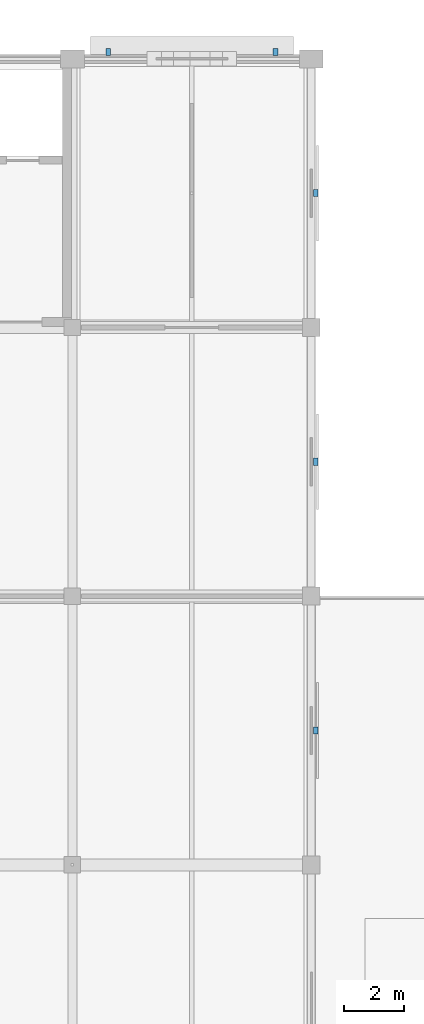
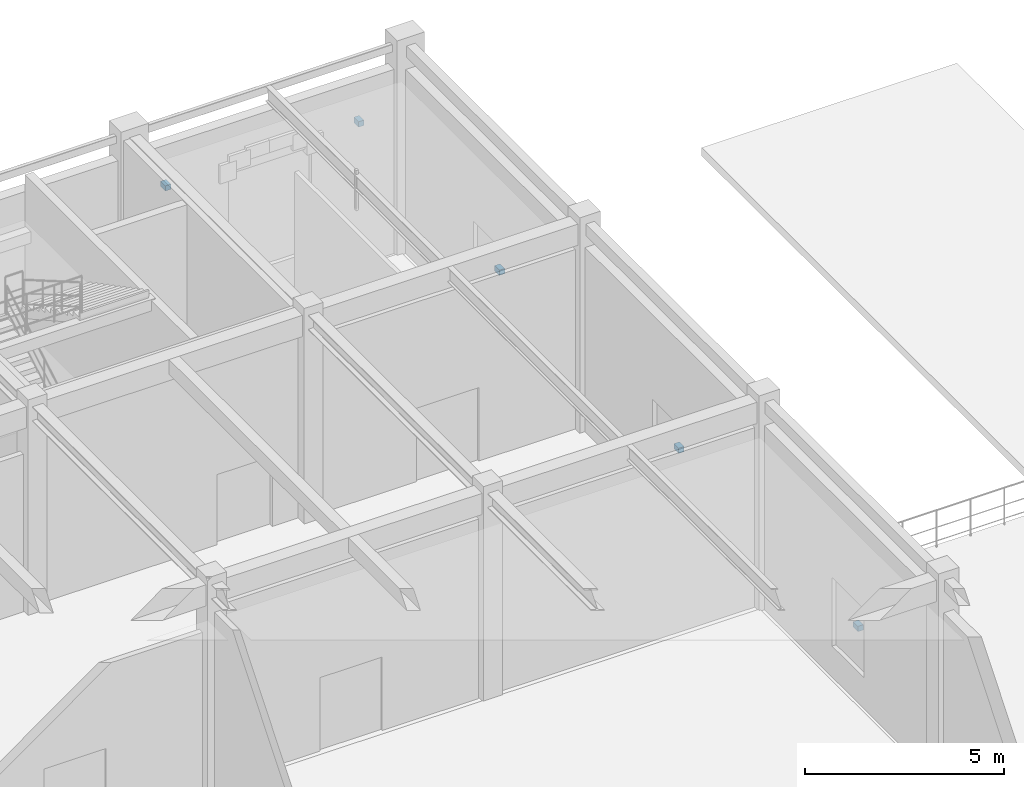
# One storey, part 155 of 163: 5 discrete accessories.
"""IFC4 building model written with IfcOpenShell, lengths in metres."""

from ifc_helpers import new_model, si_unit, direction, frame, origin, origin_2d, place, context, subcontext, project, spatial, rectangle, extrude, material, layer, layer_set, type_object, element, save


model = new_model("IFC4")

# Units and contexts
model_context = context("Model", 3, precision=1e-05, world=origin(), true_north=direction((0.0, 1.0)))
body_context = subcontext(model_context, "Body", "Model", "MODEL_VIEW")
ifc_project = project(units=[si_unit("LENGTHUNIT", "METRE"), si_unit("AREAUNIT", "SQUARE_METRE"), si_unit("VOLUMEUNIT", "CUBIC_METRE"), si_unit("PLANEANGLEUNIT", "RADIAN"), si_unit("MASSUNIT", "GRAM", prefix="KILO")], contexts=[model_context])

# Site, building, storey
site_placement = place(None, origin())
site = spatial("IfcSite", under=ifc_project, at=site_placement, CompositionType="ELEMENT")
building_placement = place(site_placement, origin())
building = spatial("IfcBuilding", under=site, at=building_placement, Name="Varnabhumi Central Station", CompositionType="ELEMENT")
storey_placement = place(building_placement, frame((0.0, 0.0, 9.60009765625)))
storey = spatial("IfcBuildingStorey", under=building, at=storey_placement, Name="L02", CompositionType="ELEMENT", Elevation=9.60009765625)

# Discrete accessories
ifc_material = material(Name="Structural steel E350", Category="steel")
ifc_layer = layer(ifc_material, 0.159912109375, Name="Structural steel E350", Category="steel")
ifc_layer_set = layer_set([ifc_layer], Name="Structural steel E350")
discrete_accessory_type = type_object("IfcDiscreteAccessoryType", Name="ACC-SHADE-BRKT", PredefinedType="BRACKET", material=ifc_layer_set)
for number, where, z_axis, x_axis, name in (
    (1, (137.199951171875, 116.22998046875, 4.02001953125), (0.0, 0.0, 1.0), (1.0, 0.0, 0.0), "Chajja Bracket N-L02-15L"),
    (2, (142.800048828125, 116.22998046875, 4.02001953125), (0.0, 0.0, 1.0), (1.0, 0.0, 0.0), "Chajja Bracket N-L02-15R"),
    (3, (144.14990234375, 93.5, 1.8701171875), (0.0, 0.0, 1.0), (1.0, 0.0, 0.0), "Celosia Bracket N-L02-W2"),
    (4, (144.14990234375, 102.5, 1.8701171875), (0.0, 0.0, 1.0), (1.0, 0.0, 0.0), "Celosia Bracket N-L02-W3"),
    (5, (144.14990234375, 111.5, 1.8701171875), (0.0, 0.0, 1.0), (1.0, 0.0, 0.0), "Celosia Bracket N-L02-W4"),
):
    element("IfcDiscreteAccessory", number, at=place(storey_placement, frame(where, z_axis=z_axis, x_axis=x_axis)), inside=storey, type_object=discrete_accessory_type, Name=name, PredefinedType="BRACKET", context=body_context, shape_type="SweptSolid", body=[
        extrude(rectangle(XDim=0.159912109375, YDim=0.239990234375, at=origin_2d()), origin(), (0.0, 0.0, 1.0), 0.159912109375),
    ])

save(model, "model.ifc")
